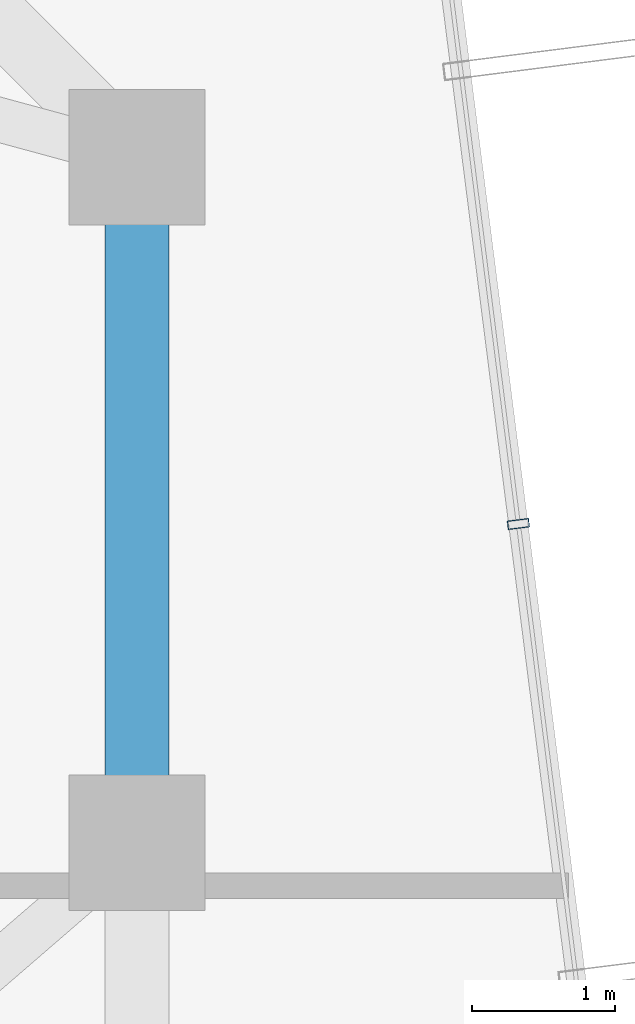
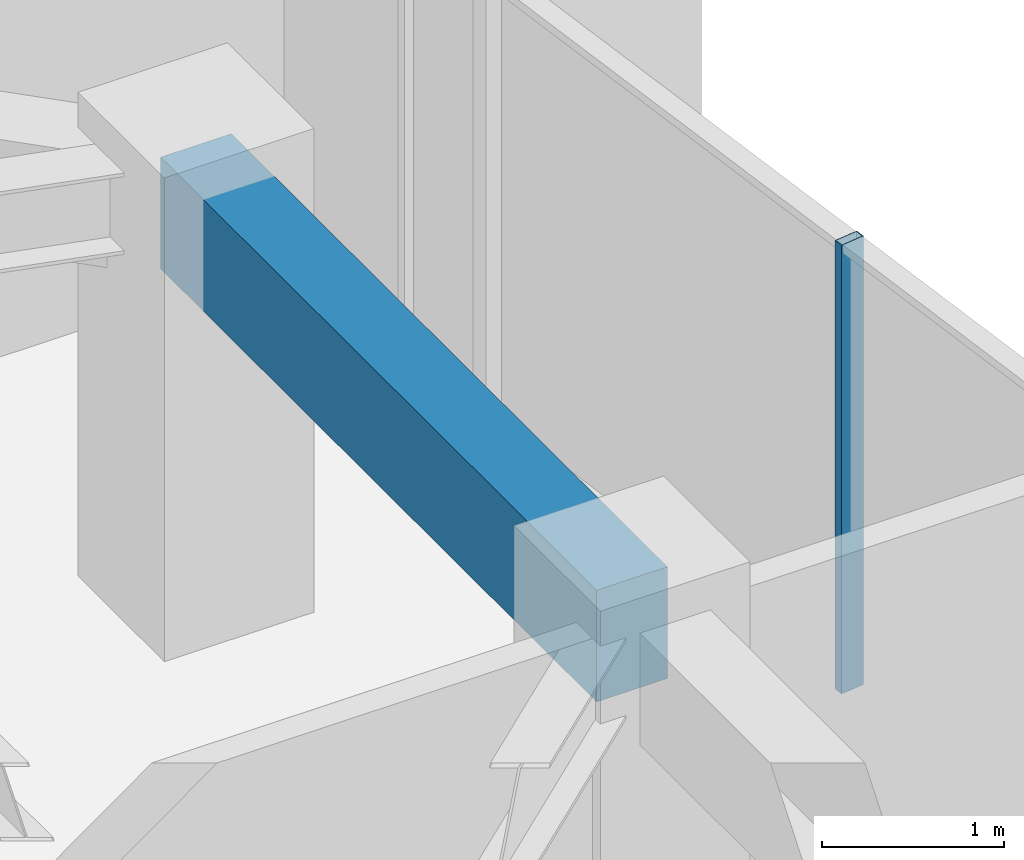
# One storey, part 18 of 32: 1 beam, 1 member, 1 element without a shape of its own.
"""IFC4 building model written with IfcOpenShell, lengths in metres."""

import ifcopenshell
import ifcopenshell.guid

model = None  # the IFC model being written
_history = None  # IfcOwnerHistory: only IFC2X3 demands one
_inside = {}  # id of a spatial element -> (the spatial element, [elements in it])
_under = {}  # id of a project, library or spatial element -> (it, [spatial elements below it])
_declared = {}  # id of a project -> (the project, [libraries it declares])
_typed = {}  # id of a type object -> (the type object, [elements of that type])
_made_of = {}  # id of a material, layer set ... -> (it, [elements and type objects made of it])


def new_model(schema):
    """Start an empty IFC model of exactly this schema.

    Asked for "IFC4X3", IfcOpenShell would pick the latest addendum, in which some entities
    have other attributes; the version numbers below select the first issue.
    IFC2X3 requires an IfcOwnerHistory on every rooted entity: one is made here for all.
    """
    global model, _history
    if schema == "IFC4X3":
        model = ifcopenshell.file(schema_version=(4, 3, 0, 0))
    else:
        model = ifcopenshell.file(schema=schema)
    _inside.clear()
    _under.clear()
    _declared.clear()
    _typed.clear()
    _made_of.clear()
    _history = None
    if model.schema == "IFC2X3":
        org = make("IfcOrganization", Name="unknown")
        user = make(
            "IfcPersonAndOrganization",
            ThePerson=make("IfcPerson", FamilyName="unknown"),
            TheOrganization=org,
        )
        app = make(
            "IfcApplication",
            ApplicationDeveloper=org,
            Version="unknown",
            ApplicationFullName="unknown",
            ApplicationIdentifier="unknown",
        )
        _history = make(
            "IfcOwnerHistory",
            OwningUser=user,
            OwningApplication=app,
            ChangeAction="ADDED",
            CreationDate=0,
        )
    return model


def make(cls, **values):
    """One entity of the class cls with the attributes given. An attribute that is None is left unset."""
    return model.create_entity(
        cls, **{name: value for name, value in values.items() if value is not None}
    )


def rooted(cls, **values):
    """An entity with a GlobalId (a new one), such as an element, a storey or a relation."""
    return make(cls, GlobalId=ifcopenshell.guid.new(), OwnerHistory=_history, **values)


def si_unit(unit_type, name, prefix=None):
    """IfcSIUnit, for example si_unit("LENGTHUNIT", "METRE", prefix="MILLI")."""
    return make("IfcSIUnit", UnitType=unit_type, Prefix=prefix, Name=name)


def assignment(units):
    """IfcUnitAssignment: the units of a project."""
    return None if units is None else make("IfcUnitAssignment", Units=units)


def point(xyz):
    """IfcCartesianPoint."""
    return None if xyz is None else make("IfcCartesianPoint", Coordinates=xyz)


def direction(xyz):
    """IfcDirection."""
    return None if xyz is None else make("IfcDirection", DirectionRatios=xyz)


def frame(location, z_axis=None, x_axis=None):
    """IfcAxis2Placement3D, a coordinate frame: its origin and axes. An axis left out is left unset."""
    return make(
        "IfcAxis2Placement3D",
        Location=point(location),
        Axis=direction(z_axis),
        RefDirection=direction(x_axis),
    )


def frame_2d(location, x_axis=None):
    """IfcAxis2Placement2D, a coordinate frame in the plane: its origin and x axis."""
    return make(
        "IfcAxis2Placement2D", Location=point(location), RefDirection=direction(x_axis)
    )


def origin():
    """The frame at (0, 0, 0) with its axes left unset."""
    return frame((0.0, 0.0, 0.0))


def origin_2d():
    """The frame at (0, 0) in the plane with its x axis left unset."""
    return frame_2d((0.0, 0.0))


def place(relative_to, where):
    """IfcLocalPlacement: puts the frame where relative to a parent placement (None: the world)."""
    return make(
        "IfcLocalPlacement", PlacementRelTo=relative_to, RelativePlacement=where
    )


def context(
    kind, dimensions, precision=None, world=None, true_north=None, identifier=None
):
    """IfcGeometricRepresentationContext, for example the 3D "Model" context."""
    return make(
        "IfcGeometricRepresentationContext",
        ContextIdentifier=identifier,
        ContextType=kind,
        CoordinateSpaceDimension=dimensions,
        Precision=precision,
        WorldCoordinateSystem=world,
        TrueNorth=true_north,
    )


def subcontext(parent, identifier, kind, view, scale=None):
    """IfcGeometricRepresentationSubContext, for example "Body" below "Model"."""
    return make(
        "IfcGeometricRepresentationSubContext",
        ContextIdentifier=identifier,
        ContextType=kind,
        ParentContext=parent,
        TargetScale=scale,
        TargetView=view,
    )


def project(units=None, contexts=None):
    """IfcProject with its units and contexts."""
    return rooted(
        "IfcProject",
        Name="project",
        RepresentationContexts=contexts,
        UnitsInContext=assignment(units),
    )


def spatial(cls, under=None, at=None, **own):
    """A site, building, storey or space (cls), placed at a placement, below another one or the project."""
    s = rooted(cls, ObjectPlacement=at, **own)
    if under is not None:
        _under.setdefault(under.id(), (under, []))[1].append(s)
    return s


def profile(cls, at=None, kind="AREA", **sizes):
    """A parametric profile (cls). Its sizes go by their IFC names, for example OverallWidth=200.0."""
    return make(cls, ProfileType=kind, Position=at, **sizes)


def rectangle(**sizes):
    """IfcRectangleProfileDef."""
    return profile("IfcRectangleProfileDef", **sizes)


def hollow_rectangle(**sizes):
    """IfcRectangleHollowProfileDef."""
    return profile("IfcRectangleHollowProfileDef", **sizes)


def extrude(swept, where, along, depth):
    """IfcExtrudedAreaSolid: the profile swept, set in the frame where, extruded along a direction by depth."""
    return make(
        "IfcExtrudedAreaSolid",
        SweptArea=swept,
        Position=where,
        ExtrudedDirection=direction(along),
        Depth=depth,
    )


def shape(context_of_items, identifier, shape_type, items):
    """IfcShapeRepresentation: the items that make up one representation, for example the "Body"."""
    return make(
        "IfcShapeRepresentation",
        ContextOfItems=context_of_items,
        RepresentationIdentifier=identifier,
        RepresentationType=shape_type,
        Items=items,
    )


def source(mapping_origin, context_of_items, identifier, shape_type, items):
    """IfcRepresentationMap: a shape defined once, which mapped items show again and again."""
    return make(
        "IfcRepresentationMap",
        MappingOrigin=mapping_origin,
        MappedRepresentation=shape(context_of_items, identifier, shape_type, items),
    )


def transform(
    local_origin,
    x_axis=None,
    y_axis=None,
    z_axis=None,
    scale=None,
    scale2=None,
    scale3=None,
    uniform=True,
):
    """IfcCartesianTransformationOperator3D, or its non-uniform kind. x_axis, y_axis, z_axis: its Axis1, 2, 3."""
    if uniform:
        return make(
            "IfcCartesianTransformationOperator3D",
            Axis1=direction(x_axis),
            Axis2=direction(y_axis),
            LocalOrigin=point(local_origin),
            Scale=scale,
            Axis3=direction(z_axis),
        )
    return make(
        "IfcCartesianTransformationOperator3DnonUniform",
        Axis1=direction(x_axis),
        Axis2=direction(y_axis),
        LocalOrigin=point(local_origin),
        Scale=scale,
        Axis3=direction(z_axis),
        Scale2=scale2,
        Scale3=scale3,
    )


def mapped(mapping_source, mapping_target):
    """IfcMappedItem: shows the shape of a source again, moved by a transform."""
    return make(
        "IfcMappedItem", MappingSource=mapping_source, MappingTarget=mapping_target
    )


def material(Name=None, Category=None):
    """IfcMaterial."""
    return make("IfcMaterial", Name=Name, Category=Category)


def layer(
    of_material, thickness, ventilated=None, Name=None, Category=None, Priority=None
):
    """IfcMaterialLayer: one layer of a wall or slab, of a material (None: an air gap)."""
    return make(
        "IfcMaterialLayer",
        Material=of_material,
        LayerThickness=thickness,
        IsVentilated=ventilated,
        Name=Name,
        Category=Category,
        Priority=Priority,
    )


def layer_set(layers, Name=None):
    """IfcMaterialLayerSet."""
    return make("IfcMaterialLayerSet", MaterialLayers=layers, LayerSetName=Name)


def material_profile(
    of_material, cross_section, Name=None, Category=None, Priority=None
):
    """IfcMaterialProfile: a cross section and its material."""
    return make(
        "IfcMaterialProfile",
        Name=Name,
        Material=of_material,
        Profile=cross_section,
        Priority=Priority,
        Category=Category,
    )


def profile_set(profiles, Name=None, composite=None):
    """IfcMaterialProfileSet."""
    return make(
        "IfcMaterialProfileSet",
        Name=Name,
        MaterialProfiles=profiles,
        CompositeProfile=composite,
    )


def made_of(thing, what):
    """Note that an element or type object is made of a material, layer set ...; save() writes the relation."""
    if what is not None:
        _made_of.setdefault(what.id(), (what, []))[1].append(thing)
    return thing


def type_object(cls, material=None, **own):
    """A type object (cls), such as IfcWallType, which elements share."""
    return made_of(rooted(cls, **own), material)


def element(
    cls,
    number,
    at=None,
    inside=None,
    cuts=None,
    type_object=None,
    material=None,
    context=None,
    identifier="Body",
    shape_type=None,
    held_by="IfcProductDefinitionShape",
    body=None,
    shapes=None,
    **own,
):
    """One element of the class cls, such as IfcWall. Its Tag is "e" and its number.

    at: its placement. inside: the storey or other place that contains it. cuts: it is an
    opening in that element (IfcRelVoidsElement). A single representation is given by context,
    identifier, shape_type and body (its items); several are given by shapes. held_by: the class
    of the entity that holds the representations. save() writes the other relations.
    """
    e = rooted(cls, Tag="e%d" % number, ObjectPlacement=at, **own)
    if body is not None:
        shapes = [shape(context, identifier, shape_type, body)]
    if shapes is not None:
        e.Representation = make(held_by, Representations=shapes)
    if inside is not None:
        _inside.setdefault(inside.id(), (inside, []))[1].append(e)
    if cuts is not None:
        rooted(
            "IfcRelVoidsElement", RelatingBuildingElement=cuts, RelatedOpeningElement=e
        )
    if type_object is not None:
        _typed.setdefault(type_object.id(), (type_object, []))[1].append(e)
    return made_of(e, material)


def aggregate(whole, parts):
    """IfcRelAggregates: a whole, such as a stair, and the parts it consists of."""
    return rooted("IfcRelAggregates", RelatingObject=whole, RelatedObjects=parts)


def save(model, path):
    """Write the relations noted so far, then the file.

    IfcRelAggregates (storeys below a building ...), IfcRelContainedInSpatialStructure (elements
    in a storey), IfcRelDefinesByType, IfcRelAssociatesMaterial and IfcRelDeclares: one each for
    every whole, place, type object, material and project.
    """
    for whole, parts in _under.values():
        aggregate(whole, parts)
    for where, things in _inside.values():
        rooted(
            "IfcRelContainedInSpatialStructure",
            RelatedElements=things,
            RelatingStructure=where,
        )
    for kind, things in _typed.values():
        rooted("IfcRelDefinesByType", RelatedObjects=things, RelatingType=kind)
    for what, things in _made_of.values():
        rooted("IfcRelAssociatesMaterial", RelatedObjects=things, RelatingMaterial=what)
    for by, libraries in _declared.values():
        rooted("IfcRelDeclares", RelatingContext=by, RelatedDefinitions=libraries)
    model.write(path)


model = new_model("IFC4")

# Units and contexts
model_context = context("Model", 3, precision=1e-05, world=origin(), true_north=direction((0.0, 1.0)))
body_context = subcontext(model_context, "Body", "Model", "MODEL_VIEW")
ifc_project = project(units=[si_unit("LENGTHUNIT", "METRE"), si_unit("AREAUNIT", "SQUARE_METRE"), si_unit("VOLUMEUNIT", "CUBIC_METRE"), si_unit("PLANEANGLEUNIT", "RADIAN"), si_unit("MASSUNIT", "GRAM", prefix="KILO")], contexts=[model_context])

# Site, building, storey
site_placement = place(None, origin())
site = spatial("IfcSite", under=ifc_project, at=site_placement, CompositionType="ELEMENT")
building_placement = place(site_placement, origin())
building = spatial("IfcBuilding", under=site, at=building_placement, Name="Veraguas Prism Commons", CompositionType="ELEMENT")
storey_placement = place(building_placement, frame((0.0, 0.0, 182.10009765625)))
storey = spatial("IfcBuildingStorey", under=building, at=storey_placement, Name="L51", CompositionType="ELEMENT", Elevation=182.10009765625)

# Beam
ifc_material_1 = material(Name="Concrete C50/60", Category="concrete")
ifc_material_profile_1 = material_profile(ifc_material_1, rectangle(XDim=0.449951171875, YDim=0.75, at=origin_2d()), Name="RC450X750")
ifc_profile_set_1 = profile_set([ifc_material_profile_1], Name="Concrete C50/60")
beam_type = type_object("IfcBeamType", Name="Perimeter Spandrel Upper RC 450x750", PredefinedType="SPANDREL", material=ifc_profile_set_1)
beam_placement = place(storey_placement, frame((38.89990234375, 24.0, 2.639892578125), z_axis=(0.0, 1.0, 0.0), x_axis=(-1.0, 0.0, 0.0)))
element("IfcBeam", 1, at=beam_placement, inside=storey, type_object=beam_type, Name="Perimeter Spandrel Beam L51-SP02", PredefinedType="SPANDREL", context=body_context, shape_type="SweptSolid", body=[
    extrude(rectangle(XDim=0.449951171875, YDim=0.75, at=origin_2d()), origin(), (0.0, 0.0, 1.0), 4.800048828125),
])

# Curtain wall, member
ifc_material_2 = material(Name="Anodised aluminium EN AW-6063 T6", Category="aluminium")
ifc_layer = layer(ifc_material_2, 0.14990234375, Name="Unitised Flush Curtain Wall Zone 3", Category="aluminium")
ifc_layer_set = layer_set([ifc_layer], Name="Anodised aluminium EN AW-6063 T6")
curtain_wall_type = type_object("IfcCurtainWallType", Name="Unitised Flush Curtain Wall Zone 3", PredefinedType="NOTDEFINED", material=ifc_layer_set)
curtain_wall_placement = place(storey_placement, origin())
curtain_wall = element("IfcCurtainWall", 2, at=curtain_wall_placement, inside=storey, type_object=curtain_wall_type, Name="Tower Facade Curtain Wall L51-F6", PredefinedType="NOTDEFINED")
ifc_material_profile_2 = material_profile(ifc_material_2, hollow_rectangle(XDim=0.06005859375, YDim=0.14990234375, WallThickness=0.0029296875, at=origin_2d()), Name="AL60X150X3")
ifc_profile_set_2 = profile_set([ifc_material_profile_2], Name="Anodised aluminium EN AW-6063 T6")
member_type = type_object("IfcMemberType", Name="Curtain Wall Mullion Upper AL 60x150x3", PredefinedType="MULLION", material=ifc_profile_set_2)
shared_shape = source(origin(), body_context, "Body", "SweptSolid", [
    extrude(hollow_rectangle(XDim=0.06005859375, YDim=0.14990234375, WallThickness=0.0029296875, at=origin_2d()), origin(), (0.0, 0.0, 1.0), 3.014892578125),
])
member_placement = place(storey_placement, frame((41.569091796875, 26.23193359375, 0.0), z_axis=(0.0, 0.0, 1.0), x_axis=(-0.126018904031, 0.992027840248, 0.0)))
member = element("IfcMember", 3, at=member_placement, type_object=member_type, Name="CW-Z3 Mullion 3", PredefinedType="MULLION", context=body_context, shape_type="MappedRepresentation", body=[
    mapped(shared_shape, transform((0.0, 0.0, 0.0), scale=1.0)),
])
aggregate(curtain_wall, [member])

save(model, "model.ifc")
